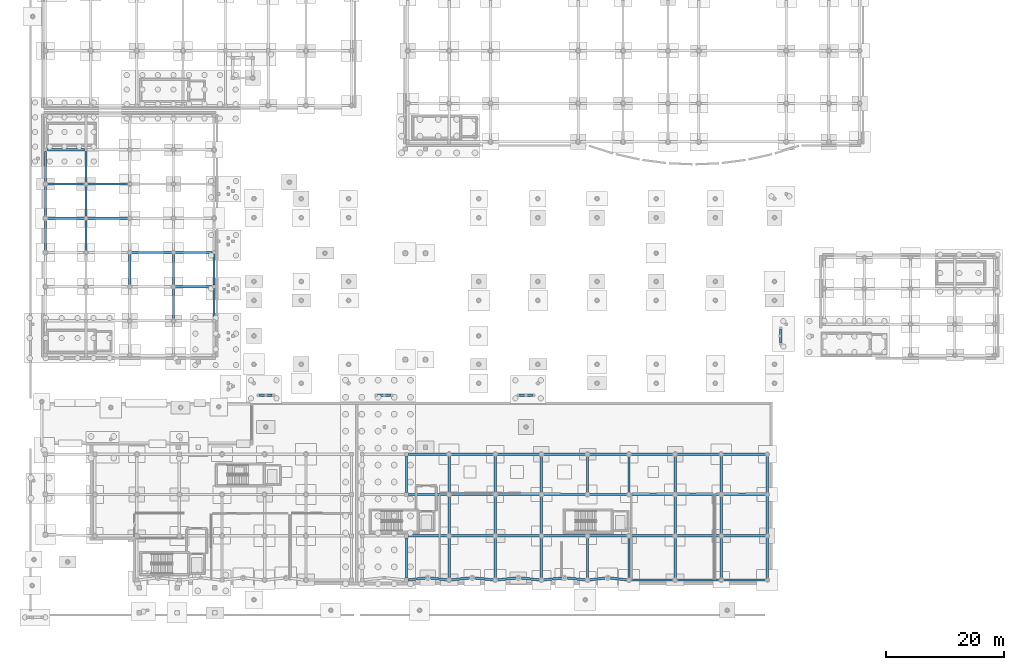
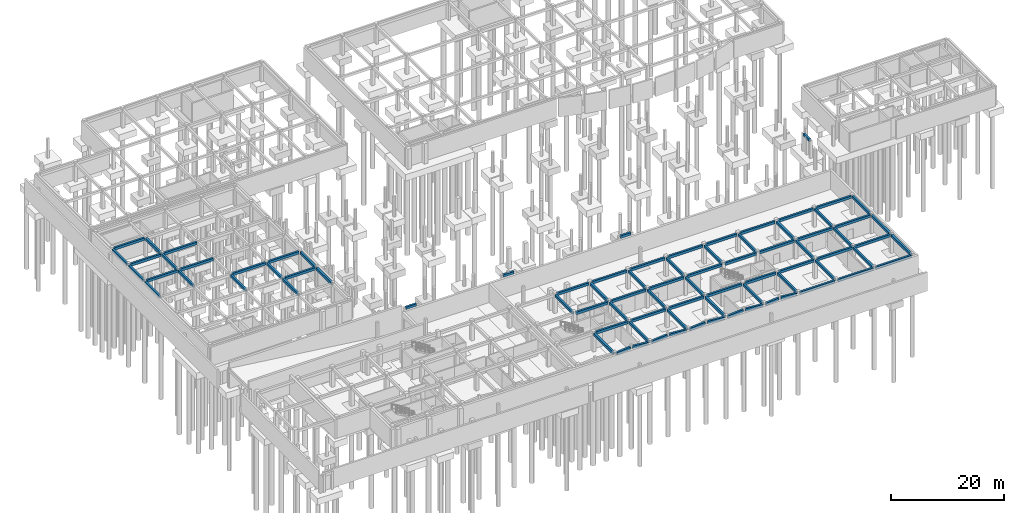
# One storey, part 11 of 22: 84 beams.
"""IFC4 building model written with IfcOpenShell, lengths in metres."""

from ifc_helpers import new_model, si_unit, direction, frame, origin, origin_2d, place, context, subcontext, project, spatial, rectangle, extrude, material, material_profile, profile_set, type_object, element, save


model = new_model("IFC4")

# Units and contexts
model_context = context("Model", 3, precision=1e-05, world=origin(), true_north=direction((0.0, 1.0)))
body_context = subcontext(model_context, "Body", "Model", "MODEL_VIEW")
ifc_project = project(units=[si_unit("LENGTHUNIT", "METRE"), si_unit("AREAUNIT", "SQUARE_METRE"), si_unit("VOLUMEUNIT", "CUBIC_METRE"), si_unit("PLANEANGLEUNIT", "RADIAN"), si_unit("MASSUNIT", "GRAM", prefix="KILO")], contexts=[model_context])

# Site, building, storey
site_placement = place(None, origin())
site = spatial("IfcSite", under=ifc_project, at=site_placement, CompositionType="ELEMENT")
building_placement = place(site_placement, origin())
building = spatial("IfcBuilding", under=site, at=building_placement, Name="Valcora Specialist Clinic", CompositionType="ELEMENT")
storey_placement = place(building_placement, frame((0.0, 0.0, -4.419921875)))
storey = spatial("IfcBuildingStorey", under=building, at=storey_placement, Name="B1", CompositionType="ELEMENT", Elevation=-4.419921875)

# Beams
ifc_material = material(Name="Concrete C35/45", Category="concrete")
ifc_material_profile = material_profile(ifc_material, rectangle(XDim=0.39990234375, YDim=0.550048828125, at=origin_2d()), Name="RC-TB-400X550")
ifc_profile_set = profile_set([ifc_material_profile], Name="Concrete C35/45")
beam_type = type_object("IfcBeamType", Name="TY-BM-TB400X550", PredefinedType="BEAM", material=ifc_profile_set)
beam_1_placement = place(storey_placement, frame((22.675048828125, 50.321044921875, 3.844970703125), z_axis=(1.0, 0.0, 0.0), x_axis=(0.0, 1.0, 0.0)))
element("IfcBeam", 1, at=beam_1_placement, inside=storey, type_object=beam_type, Name="Beam BM-B1-0012", PredefinedType="BEAM", context=body_context, shape_type="SweptSolid", body=[
    extrude(rectangle(XDim=0.39990234375, YDim=0.550048828125, at=origin_2d()), origin(), (0.0, 0.0, 1.0), 6.27490234375),
])
beam_2_placement = place(storey_placement, frame((15.27490234375, 56.10693359375, 3.844970703125), z_axis=(1.0, 0.0, 0.0), x_axis=(0.0, 1.0, 0.0)))
element("IfcBeam", 2, at=beam_2_placement, inside=storey, type_object=beam_type, Name="Beam BM-B1-0015", PredefinedType="BEAM", context=body_context, shape_type="SweptSolid", body=[
    extrude(rectangle(XDim=0.39990234375, YDim=0.550048828125, at=origin_2d()), origin(), (0.0, 0.0, 1.0), 6.85009765625),
])
beam_3_placement = place(storey_placement, frame((22.675048828125, 56.10693359375, 3.844970703125), z_axis=(1.0, 0.0, 0.0), x_axis=(0.0, 1.0, 0.0)))
element("IfcBeam", 3, at=beam_3_placement, inside=storey, type_object=beam_type, Name="Beam BM-B1-0016", PredefinedType="BEAM", context=body_context, shape_type="SweptSolid", body=[
    extrude(rectangle(XDim=0.39990234375, YDim=0.550048828125, at=origin_2d()), origin(), (0.0, 0.0, 1.0), 6.27490234375),
])
beam_4_placement = place(storey_placement, frame((1.074951171875, 61.89306640625, 3.844970703125), z_axis=(1.0, 0.0, 0.0), x_axis=(0.0, 1.0, 0.0)))
element("IfcBeam", 4, at=beam_4_placement, inside=storey, type_object=beam_type, Name="Beam BM-B1-0017", PredefinedType="BEAM", context=body_context, shape_type="SweptSolid", body=[
    extrude(rectangle(XDim=0.39990234375, YDim=0.550048828125, at=origin_2d()), origin(), (0.0, 0.0, 1.0), 6.25),
])
beam_5_placement = place(storey_placement, frame((7.875, 61.89306640625, 3.844970703125), z_axis=(1.0, 0.0, 0.0), x_axis=(0.0, 1.0, 0.0)))
element("IfcBeam", 5, at=beam_5_placement, inside=storey, type_object=beam_type, Name="Beam BM-B1-0018", PredefinedType="BEAM", context=body_context, shape_type="SweptSolid", body=[
    extrude(rectangle(XDim=0.39990234375, YDim=0.550048828125, at=origin_2d()), origin(), (0.0, 0.0, 1.0), 6.85009765625),
])
beam_6_placement = place(storey_placement, frame((1.074951171875, 67.678955078125, 3.844970703125), z_axis=(1.0, 0.0, 0.0), x_axis=(0.0, 1.0, 0.0)))
element("IfcBeam", 6, at=beam_6_placement, inside=storey, type_object=beam_type, Name="Beam BM-B1-0021", PredefinedType="BEAM", context=body_context, shape_type="SweptSolid", body=[
    extrude(rectangle(XDim=0.39990234375, YDim=0.550048828125, at=origin_2d()), origin(), (0.0, 0.0, 1.0), 6.25),
])
beam_7_placement = place(storey_placement, frame((7.875, 67.678955078125, 3.844970703125), z_axis=(1.0, 0.0, 0.0), x_axis=(0.0, 1.0, 0.0)))
element("IfcBeam", 7, at=beam_7_placement, inside=storey, type_object=beam_type, Name="Beam BM-B1-0022", PredefinedType="BEAM", context=body_context, shape_type="SweptSolid", body=[
    extrude(rectangle(XDim=0.39990234375, YDim=0.550048828125, at=origin_2d()), origin(), (0.0, 0.0, 1.0), 6.85009765625),
])
beam_8_placement = place(storey_placement, frame((1.074951171875, 73.464111328125, 3.844970703125), z_axis=(1.0, 0.0, 0.0), x_axis=(0.0, 1.0, 0.0)))
element("IfcBeam", 8, at=beam_8_placement, inside=storey, type_object=beam_type, Name="Beam BM-B1-0025", PredefinedType="BEAM", context=body_context, shape_type="SweptSolid", body=[
    extrude(rectangle(XDim=0.39990234375, YDim=0.550048828125, at=origin_2d()), origin(), (0.0, 0.0, 1.0), 6.25),
])
beam_9_placement = place(storey_placement, frame((0.75, 56.431884765625, 3.844970703125), z_axis=(0.0, 1.0, 0.0), x_axis=(-1.0, 0.0, 0.0)))
element("IfcBeam", 9, at=beam_9_placement, inside=storey, type_object=beam_type, Name="Beam BM-B1-0036", PredefinedType="BEAM", context=body_context, shape_type="SweptSolid", body=[
    extrude(rectangle(XDim=0.39990234375, YDim=0.550048828125, at=origin_2d()), origin(), (0.0, 0.0, 1.0), 5.13623046875),
])
beam_10_placement = place(storey_placement, frame((0.75, 62.218017578125, 3.844970703125), z_axis=(0.0, 1.0, 0.0), x_axis=(-1.0, 0.0, 0.0)))
element("IfcBeam", 10, at=beam_10_placement, inside=storey, type_object=beam_type, Name="Beam BM-B1-0037", PredefinedType="BEAM", context=body_context, shape_type="SweptSolid", body=[
    extrude(rectangle(XDim=0.39990234375, YDim=0.550048828125, at=origin_2d()), origin(), (0.0, 0.0, 1.0), 5.135986328125),
])
beam_11_placement = place(storey_placement, frame((0.75, 68.00390625, 3.844970703125), z_axis=(0.0, 1.0, 0.0), x_axis=(-1.0, 0.0, 0.0)))
element("IfcBeam", 11, at=beam_11_placement, inside=storey, type_object=beam_type, Name="Beam BM-B1-0038", PredefinedType="BEAM", context=body_context, shape_type="SweptSolid", body=[
    extrude(rectangle(XDim=0.39990234375, YDim=0.550048828125, at=origin_2d()), origin(), (0.0, 0.0, 1.0), 5.135009765625),
])
beam_12_placement = place(storey_placement, frame((7.60009765625, 56.382080078125, 3.844970703125), z_axis=(0.0, 1.0, 0.0), x_axis=(-1.0, 0.0, 0.0)))
element("IfcBeam", 12, at=beam_12_placement, inside=storey, type_object=beam_type, Name="Beam BM-B1-0043", PredefinedType="BEAM", context=body_context, shape_type="SweptSolid", body=[
    extrude(rectangle(XDim=0.39990234375, YDim=0.550048828125, at=origin_2d()), origin(), (0.0, 0.0, 1.0), 5.23583984375),
])
beam_13_placement = place(storey_placement, frame((7.60009765625, 62.16796875, 3.844970703125), z_axis=(0.0, 1.0, 0.0), x_axis=(-1.0, 0.0, 0.0)))
element("IfcBeam", 13, at=beam_13_placement, inside=storey, type_object=beam_type, Name="Beam BM-B1-0044", PredefinedType="BEAM", context=body_context, shape_type="SweptSolid", body=[
    extrude(rectangle(XDim=0.39990234375, YDim=0.550048828125, at=origin_2d()), origin(), (0.0, 0.0, 1.0), 5.236083984375),
])
beam_14_placement = place(storey_placement, frame((7.60009765625, 67.9541015625, 3.844970703125), z_axis=(0.0, 1.0, 0.0), x_axis=(-1.0, 0.0, 0.0)))
element("IfcBeam", 14, at=beam_14_placement, inside=storey, type_object=beam_type, Name="Beam BM-B1-0045", PredefinedType="BEAM", context=body_context, shape_type="SweptSolid", body=[
    extrude(rectangle(XDim=0.39990234375, YDim=0.550048828125, at=origin_2d()), origin(), (0.0, 0.0, 1.0), 5.23486328125),
])
beam_15_placement = place(storey_placement, frame((15.0, 50.595947265625, 3.844970703125), z_axis=(0.0, 1.0, 0.0), x_axis=(-1.0, 0.0, 0.0)))
element("IfcBeam", 15, at=beam_15_placement, inside=storey, type_object=beam_type, Name="Beam BM-B1-0049", PredefinedType="BEAM", context=body_context, shape_type="SweptSolid", body=[
    extrude(rectangle(XDim=0.39990234375, YDim=0.550048828125, at=origin_2d()), origin(), (0.0, 0.0, 1.0), 5.236083984375),
])
beam_16_placement = place(storey_placement, frame((22.39990234375, 44.81103515625, 3.844970703125), z_axis=(0.0, 1.0, 0.0), x_axis=(-1.0, 0.0, 0.0)))
element("IfcBeam", 16, at=beam_16_placement, inside=storey, type_object=beam_type, Name="Beam BM-B1-0055", PredefinedType="BEAM", context=body_context, shape_type="SweptSolid", body=[
    extrude(rectangle(XDim=0.39990234375, YDim=0.550048828125, at=origin_2d()), origin(), (0.0, 0.0, 1.0), 5.23486328125),
])
beam_17_placement = place(storey_placement, frame((22.39990234375, 50.595947265625, 3.844970703125), z_axis=(0.0, 1.0, 0.0), x_axis=(-1.0, 0.0, 0.0)))
element("IfcBeam", 17, at=beam_17_placement, inside=storey, type_object=beam_type, Name="Beam BM-B1-0056", PredefinedType="BEAM", context=body_context, shape_type="SweptSolid", body=[
    extrude(rectangle(XDim=0.39990234375, YDim=0.550048828125, at=origin_2d()), origin(), (0.0, 0.0, 1.0), 5.236083984375),
])
beam_18_placement = place(storey_placement, frame((29.25, 44.8359375, 3.844970703125), z_axis=(0.0, 1.0, 0.0), x_axis=(-1.0, 0.0, 0.0)))
element("IfcBeam", 18, at=beam_18_placement, inside=storey, type_object=beam_type, Name="Beam BM-B1-0062", PredefinedType="BEAM", context=body_context, shape_type="SweptSolid", body=[
    extrude(rectangle(XDim=0.39990234375, YDim=0.550048828125, at=origin_2d()), origin(), (0.0, 0.0, 1.0), 5.18505859375),
])
beam_19_placement = place(storey_placement, frame((29.25, 50.62109375, 3.844970703125), z_axis=(0.0, 1.0, 0.0), x_axis=(-1.0, 0.0, 0.0)))
element("IfcBeam", 19, at=beam_19_placement, inside=storey, type_object=beam_type, Name="Beam BM-B1-0063", PredefinedType="BEAM", context=body_context, shape_type="SweptSolid", body=[
    extrude(rectangle(XDim=0.39990234375, YDim=0.550048828125, at=origin_2d()), origin(), (0.0, 0.0, 1.0), 5.185791015625),
])
for number, where, z_axis, x_axis, name in (
    (20, (62.125, 0.75, 3.81494140625), (0.993580893822, 0.113123858812, 0.0), (-0.113123858812, 0.993580893822, 0.0), "Beam BM-B1-1151"),
    (21, (65.60009765625, 1.10009765625, 3.81494140625), (0.993580893822, -0.113123858812, 0.0), (0.113123858812, 0.993580893822, 0.0), "Beam BM-B1-1152"),
):
    element("IfcBeam", number, at=place(storey_placement, frame(where, z_axis=z_axis, x_axis=x_axis)), inside=storey, type_object=beam_type, Name=name, PredefinedType="BEAM", context=body_context, shape_type="SweptSolid", body=[
        extrude(rectangle(XDim=0.39990234375, YDim=0.550048828125, at=origin_2d()), origin(), (0.0, 0.0, 1.0), 3.0947265625),
    ])
for number, where, z_axis, x_axis, name in (
    (22, (69.324951171875, 0.75, 3.81494140625), (0.994662804408, 0.103178997506, 0.0), (-0.103178997506, 0.994662804408, 0.0), "Beam BM-B1-1153"),
    (23, (73.10009765625, 1.10009765625, 3.81494140625), (0.994662804408, -0.103178997506, 0.0), (0.103178997506, 0.994662804408, 0.0), "Beam BM-B1-1154"),
    (24, (77.125, 0.75, 3.81494140625), (0.994662804408, 0.103178997506, 0.0), (-0.103178997506, 0.994662804408, 0.0), "Beam BM-B1-1155"),
    (25, (80.89990234375, 1.10009765625, 3.81494140625), (0.994662804408, -0.103178997506, 0.0), (0.103178997506, 0.994662804408, 0.0), "Beam BM-B1-1156"),
    (26, (84.925048828125, 0.75, 3.81494140625), (0.994662804408, 0.103178997506, 0.0), (-0.103178997506, 0.994662804408, 0.0), "Beam BM-B1-1157"),
    (27, (88.699951171875, 1.10009765625, 3.81494140625), (0.994662804408, -0.103178997506, 0.0), (0.103178997506, 0.994662804408, 0.0), "Beam BM-B1-1158"),
):
    element("IfcBeam", number, at=place(storey_placement, frame(where, z_axis=z_axis, x_axis=x_axis)), inside=storey, type_object=beam_type, Name=name, PredefinedType="BEAM", context=body_context, shape_type="SweptSolid", body=[
        extrude(rectangle(XDim=0.39990234375, YDim=0.550048828125, at=origin_2d()), origin(), (0.0, 0.0, 1.0), 3.39306640625),
    ])
beam_20_placement = place(storey_placement, frame((92.72509765625, 0.75, 3.81494140625), z_axis=(0.992667109146, 0.120880148991, 0.0), x_axis=(-0.120880148991, 0.992667109146, 0.0)))
element("IfcBeam", 28, at=beam_20_placement, inside=storey, type_object=beam_type, Name="Beam BM-B1-1159", PredefinedType="BEAM", context=body_context, shape_type="SweptSolid", body=[
    extrude(rectangle(XDim=0.39990234375, YDim=0.550048828125, at=origin_2d()), origin(), (0.0, 0.0, 1.0), 2.896240234375),
])
beam_21_placement = place(storey_placement, frame((96.0, 1.10009765625, 3.81494140625), z_axis=(0.993580893822, -0.113123858812, 0.0), x_axis=(0.113123858812, 0.993580893822, 0.0)))
element("IfcBeam", 29, at=beam_21_placement, inside=storey, type_object=beam_type, Name="Beam BM-B1-1160", PredefinedType="BEAM", context=body_context, shape_type="SweptSolid", body=[
    extrude(rectangle(XDim=0.39990234375, YDim=0.550048828125, at=origin_2d()), origin(), (0.0, 0.0, 1.0), 3.0947265625),
])
beam_22_placement = place(storey_placement, frame((99.72509765625, 0.75, 3.81494140625), z_axis=(1.0, 0.0, 0.0), x_axis=(0.0, 1.0, 0.0)))
element("IfcBeam", 30, at=beam_22_placement, inside=storey, type_object=beam_type, Name="Beam BM-B1-1161", PredefinedType="BEAM", context=body_context, shape_type="SweptSolid", body=[
    extrude(rectangle(XDim=0.39990234375, YDim=0.550048828125, at=origin_2d()), origin(), (0.0, 0.0, 1.0), 7.14990234375),
])
beam_23_placement = place(storey_placement, frame((107.52490234375, 0.75, 3.81494140625), z_axis=(1.0, 0.0, 0.0), x_axis=(0.0, 1.0, 0.0)))
element("IfcBeam", 31, at=beam_23_placement, inside=storey, type_object=beam_type, Name="Beam BM-B1-1162", PredefinedType="BEAM", context=body_context, shape_type="SweptSolid", body=[
    extrude(rectangle(XDim=0.39990234375, YDim=0.550048828125, at=origin_2d()), origin(), (0.0, 0.0, 1.0), 7.2001953125),
])
beam_24_placement = place(storey_placement, frame((115.27490234375, 0.75, 3.81494140625), z_axis=(1.0, 0.0, 0.0), x_axis=(0.0, 1.0, 0.0)))
element("IfcBeam", 32, at=beam_24_placement, inside=storey, type_object=beam_type, Name="Beam BM-B1-1163", PredefinedType="BEAM", context=body_context, shape_type="SweptSolid", body=[
    extrude(rectangle(XDim=0.39990234375, YDim=0.550048828125, at=origin_2d()), origin(), (0.0, 0.0, 1.0), 7.25),
])
beam_25_placement = place(storey_placement, frame((62.125, 8.199951171875, 3.81494140625), z_axis=(1.0, 0.0, 0.0), x_axis=(0.0, 1.0, 0.0)))
element("IfcBeam", 33, at=beam_25_placement, inside=storey, type_object=beam_type, Name="Beam BM-B1-1165", PredefinedType="BEAM", context=body_context, shape_type="SweptSolid", body=[
    extrude(rectangle(XDim=0.39990234375, YDim=0.550048828125, at=origin_2d()), origin(), (0.0, 0.0, 1.0), 6.550048828125),
])
beam_26_placement = place(storey_placement, frame((69.324951171875, 8.199951171875, 3.81494140625), z_axis=(1.0, 0.0, 0.0), x_axis=(0.0, 1.0, 0.0)))
element("IfcBeam", 34, at=beam_26_placement, inside=storey, type_object=beam_type, Name="Beam BM-B1-1166", PredefinedType="BEAM", context=body_context, shape_type="SweptSolid", body=[
    extrude(rectangle(XDim=0.39990234375, YDim=0.550048828125, at=origin_2d()), origin(), (0.0, 0.0, 1.0), 7.150146484375),
])
for number, where, z_axis, x_axis, name in (
    (35, (77.125, 8.199951171875, 3.81494140625), (1.0, 0.0, 0.0), (0.0, 1.0, 0.0), "Beam BM-B1-1167"),
    (36, (84.925048828125, 8.199951171875, 3.81494140625), (1.0, 0.0, 0.0), (0.0, 1.0, 0.0), "Beam BM-B1-1168"),
):
    element("IfcBeam", number, at=place(storey_placement, frame(where, z_axis=z_axis, x_axis=x_axis)), inside=storey, type_object=beam_type, Name=name, PredefinedType="BEAM", context=body_context, shape_type="SweptSolid", body=[
        extrude(rectangle(XDim=0.39990234375, YDim=0.550048828125, at=origin_2d()), origin(), (0.0, 0.0, 1.0), 7.14990234375),
    ])
beam_27_placement = place(storey_placement, frame((92.72509765625, 8.199951171875, 3.81494140625), z_axis=(1.0, 0.0, 0.0), x_axis=(0.0, 1.0, 0.0)))
element("IfcBeam", 37, at=beam_27_placement, inside=storey, type_object=beam_type, Name="Beam BM-B1-1169", PredefinedType="BEAM", context=body_context, shape_type="SweptSolid", body=[
    extrude(rectangle(XDim=0.39990234375, YDim=0.550048828125, at=origin_2d()), origin(), (0.0, 0.0, 1.0), 6.349853515625),
])
beam_28_placement = place(storey_placement, frame((99.72509765625, 8.199951171875, 3.81494140625), z_axis=(1.0, 0.0, 0.0), x_axis=(0.0, 1.0, 0.0)))
element("IfcBeam", 38, at=beam_28_placement, inside=storey, type_object=beam_type, Name="Beam BM-B1-1170", PredefinedType="BEAM", context=body_context, shape_type="SweptSolid", body=[
    extrude(rectangle(XDim=0.39990234375, YDim=0.550048828125, at=origin_2d()), origin(), (0.0, 0.0, 1.0), 7.14990234375),
])
beam_29_placement = place(storey_placement, frame((107.52490234375, 8.199951171875, 3.81494140625), z_axis=(1.0, 0.0, 0.0), x_axis=(0.0, 1.0, 0.0)))
element("IfcBeam", 39, at=beam_29_placement, inside=storey, type_object=beam_type, Name="Beam BM-B1-1171", PredefinedType="BEAM", context=body_context, shape_type="SweptSolid", body=[
    extrude(rectangle(XDim=0.39990234375, YDim=0.550048828125, at=origin_2d()), origin(), (0.0, 0.0, 1.0), 7.2001953125),
])
beam_30_placement = place(storey_placement, frame((115.27490234375, 8.199951171875, 3.81494140625), z_axis=(1.0, 0.0, 0.0), x_axis=(0.0, 1.0, 0.0)))
element("IfcBeam", 40, at=beam_30_placement, inside=storey, type_object=beam_type, Name="Beam BM-B1-1172", PredefinedType="BEAM", context=body_context, shape_type="SweptSolid", body=[
    extrude(rectangle(XDim=0.39990234375, YDim=0.550048828125, at=origin_2d()), origin(), (0.0, 0.0, 1.0), 7.25),
])
beam_31_placement = place(storey_placement, frame((62.125, 15.199951171875, 3.81494140625), z_axis=(1.0, 0.0, 0.0), x_axis=(0.0, 1.0, 0.0)))
element("IfcBeam", 41, at=beam_31_placement, inside=storey, type_object=beam_type, Name="Beam BM-B1-1174", PredefinedType="BEAM", context=body_context, shape_type="SweptSolid", body=[
    extrude(rectangle(XDim=0.39990234375, YDim=0.550048828125, at=origin_2d()), origin(), (0.0, 0.0, 1.0), 6.550048828125),
])
beam_32_placement = place(storey_placement, frame((69.324951171875, 15.199951171875, 3.81494140625), z_axis=(1.0, 0.0, 0.0), x_axis=(0.0, 1.0, 0.0)))
element("IfcBeam", 42, at=beam_32_placement, inside=storey, type_object=beam_type, Name="Beam BM-B1-1175", PredefinedType="BEAM", context=body_context, shape_type="SweptSolid", body=[
    extrude(rectangle(XDim=0.39990234375, YDim=0.550048828125, at=origin_2d()), origin(), (0.0, 0.0, 1.0), 7.150146484375),
])
for number, where, z_axis, x_axis, name in (
    (43, (77.125, 15.199951171875, 3.81494140625), (1.0, 0.0, 0.0), (0.0, 1.0, 0.0), "Beam BM-B1-1176"),
    (44, (84.925048828125, 15.199951171875, 3.81494140625), (1.0, 0.0, 0.0), (0.0, 1.0, 0.0), "Beam BM-B1-1177"),
):
    element("IfcBeam", number, at=place(storey_placement, frame(where, z_axis=z_axis, x_axis=x_axis)), inside=storey, type_object=beam_type, Name=name, PredefinedType="BEAM", context=body_context, shape_type="SweptSolid", body=[
        extrude(rectangle(XDim=0.39990234375, YDim=0.550048828125, at=origin_2d()), origin(), (0.0, 0.0, 1.0), 7.14990234375),
    ])
beam_33_placement = place(storey_placement, frame((92.72509765625, 15.199951171875, 3.81494140625), z_axis=(1.0, 0.0, 0.0), x_axis=(0.0, 1.0, 0.0)))
element("IfcBeam", 45, at=beam_33_placement, inside=storey, type_object=beam_type, Name="Beam BM-B1-1178", PredefinedType="BEAM", context=body_context, shape_type="SweptSolid", body=[
    extrude(rectangle(XDim=0.39990234375, YDim=0.550048828125, at=origin_2d()), origin(), (0.0, 0.0, 1.0), 6.349853515625),
])
beam_34_placement = place(storey_placement, frame((99.72509765625, 15.199951171875, 3.81494140625), z_axis=(1.0, 0.0, 0.0), x_axis=(0.0, 1.0, 0.0)))
element("IfcBeam", 46, at=beam_34_placement, inside=storey, type_object=beam_type, Name="Beam BM-B1-1179", PredefinedType="BEAM", context=body_context, shape_type="SweptSolid", body=[
    extrude(rectangle(XDim=0.39990234375, YDim=0.550048828125, at=origin_2d()), origin(), (0.0, 0.0, 1.0), 7.14990234375),
])
beam_35_placement = place(storey_placement, frame((107.52490234375, 15.199951171875, 3.81494140625), z_axis=(1.0, 0.0, 0.0), x_axis=(0.0, 1.0, 0.0)))
element("IfcBeam", 47, at=beam_35_placement, inside=storey, type_object=beam_type, Name="Beam BM-B1-1180", PredefinedType="BEAM", context=body_context, shape_type="SweptSolid", body=[
    extrude(rectangle(XDim=0.39990234375, YDim=0.550048828125, at=origin_2d()), origin(), (0.0, 0.0, 1.0), 7.2001953125),
])
beam_36_placement = place(storey_placement, frame((115.27490234375, 15.199951171875, 3.81494140625), z_axis=(1.0, 0.0, 0.0), x_axis=(0.0, 1.0, 0.0)))
element("IfcBeam", 48, at=beam_36_placement, inside=storey, type_object=beam_type, Name="Beam BM-B1-1181", PredefinedType="BEAM", context=body_context, shape_type="SweptSolid", body=[
    extrude(rectangle(XDim=0.39990234375, YDim=0.550048828125, at=origin_2d()), origin(), (0.0, 0.0, 1.0), 7.25),
])
beam_37_placement = place(storey_placement, frame((62.125, 22.0, 3.81494140625), z_axis=(1.0, 0.0, 0.0), x_axis=(0.0, 1.0, 0.0)))
element("IfcBeam", 49, at=beam_37_placement, inside=storey, type_object=beam_type, Name="Beam BM-B1-1183", PredefinedType="BEAM", context=body_context, shape_type="SweptSolid", body=[
    extrude(rectangle(XDim=0.39990234375, YDim=0.550048828125, at=origin_2d()), origin(), (0.0, 0.0, 1.0), 6.550048828125),
])
beam_38_placement = place(storey_placement, frame((69.324951171875, 22.0, 3.81494140625), z_axis=(1.0, 0.0, 0.0), x_axis=(0.0, 1.0, 0.0)))
element("IfcBeam", 50, at=beam_38_placement, inside=storey, type_object=beam_type, Name="Beam BM-B1-1184", PredefinedType="BEAM", context=body_context, shape_type="SweptSolid", body=[
    extrude(rectangle(XDim=0.39990234375, YDim=0.550048828125, at=origin_2d()), origin(), (0.0, 0.0, 1.0), 7.150146484375),
])
for number, where, z_axis, x_axis, name in (
    (51, (77.125, 22.0, 3.81494140625), (1.0, 0.0, 0.0), (0.0, 1.0, 0.0), "Beam BM-B1-1185"),
    (52, (84.925048828125, 22.0, 3.81494140625), (1.0, 0.0, 0.0), (0.0, 1.0, 0.0), "Beam BM-B1-1186"),
):
    element("IfcBeam", number, at=place(storey_placement, frame(where, z_axis=z_axis, x_axis=x_axis)), inside=storey, type_object=beam_type, Name=name, PredefinedType="BEAM", context=body_context, shape_type="SweptSolid", body=[
        extrude(rectangle(XDim=0.39990234375, YDim=0.550048828125, at=origin_2d()), origin(), (0.0, 0.0, 1.0), 7.14990234375),
    ])
beam_39_placement = place(storey_placement, frame((92.72509765625, 22.0, 3.81494140625), z_axis=(1.0, 0.0, 0.0), x_axis=(0.0, 1.0, 0.0)))
element("IfcBeam", 53, at=beam_39_placement, inside=storey, type_object=beam_type, Name="Beam BM-B1-1187", PredefinedType="BEAM", context=body_context, shape_type="SweptSolid", body=[
    extrude(rectangle(XDim=0.39990234375, YDim=0.550048828125, at=origin_2d()), origin(), (0.0, 0.0, 1.0), 6.349853515625),
])
beam_40_placement = place(storey_placement, frame((99.72509765625, 22.0, 3.81494140625), z_axis=(1.0, 0.0, 0.0), x_axis=(0.0, 1.0, 0.0)))
element("IfcBeam", 54, at=beam_40_placement, inside=storey, type_object=beam_type, Name="Beam BM-B1-1188", PredefinedType="BEAM", context=body_context, shape_type="SweptSolid", body=[
    extrude(rectangle(XDim=0.39990234375, YDim=0.550048828125, at=origin_2d()), origin(), (0.0, 0.0, 1.0), 7.14990234375),
])
beam_41_placement = place(storey_placement, frame((107.52490234375, 22.0, 3.81494140625), z_axis=(1.0, 0.0, 0.0), x_axis=(0.0, 1.0, 0.0)))
element("IfcBeam", 55, at=beam_41_placement, inside=storey, type_object=beam_type, Name="Beam BM-B1-1189", PredefinedType="BEAM", context=body_context, shape_type="SweptSolid", body=[
    extrude(rectangle(XDim=0.39990234375, YDim=0.550048828125, at=origin_2d()), origin(), (0.0, 0.0, 1.0), 7.2001953125),
])
beam_42_placement = place(storey_placement, frame((115.27490234375, 22.0, 3.81494140625), z_axis=(1.0, 0.0, 0.0), x_axis=(0.0, 1.0, 0.0)))
element("IfcBeam", 56, at=beam_42_placement, inside=storey, type_object=beam_type, Name="Beam BM-B1-1190", PredefinedType="BEAM", context=body_context, shape_type="SweptSolid", body=[
    extrude(rectangle(XDim=0.39990234375, YDim=0.550048828125, at=origin_2d()), origin(), (0.0, 0.0, 1.0), 7.25),
])
beam_43_placement = place(storey_placement, frame((61.800048828125, 1.074951171875, 3.81494140625), z_axis=(0.0, 1.0, 0.0), x_axis=(-1.0, 0.0, 0.0)))
element("IfcBeam", 57, at=beam_43_placement, inside=storey, type_object=beam_type, Name="Beam BM-B1-1194", PredefinedType="BEAM", context=body_context, shape_type="SweptSolid", body=[
    extrude(rectangle(XDim=0.39990234375, YDim=0.550048828125, at=origin_2d()), origin(), (0.0, 0.0, 1.0), 6.800048828125),
])
beam_44_placement = place(storey_placement, frame((61.800048828125, 15.52490234375, 3.81494140625), z_axis=(0.0, 1.0, 0.0), x_axis=(-1.0, 0.0, 0.0)))
element("IfcBeam", 58, at=beam_44_placement, inside=storey, type_object=beam_type, Name="Beam BM-B1-1195", PredefinedType="BEAM", context=body_context, shape_type="SweptSolid", body=[
    extrude(rectangle(XDim=0.39990234375, YDim=0.550048828125, at=origin_2d()), origin(), (0.0, 0.0, 1.0), 6.150146484375),
])
beam_45_placement = place(storey_placement, frame((69.0, 1.074951171875, 3.81494140625), z_axis=(0.0, 1.0, 0.0), x_axis=(-1.0, 0.0, 0.0)))
element("IfcBeam", 59, at=beam_45_placement, inside=storey, type_object=beam_type, Name="Beam BM-B1-1196", PredefinedType="BEAM", context=body_context, shape_type="SweptSolid", body=[
    extrude(rectangle(XDim=0.39990234375, YDim=0.550048828125, at=origin_2d()), origin(), (0.0, 0.0, 1.0), 6.800048828125),
])
beam_46_placement = place(storey_placement, frame((69.0, 8.52490234375, 3.81494140625), z_axis=(0.0, 1.0, 0.0), x_axis=(-1.0, 0.0, 0.0)))
element("IfcBeam", 60, at=beam_46_placement, inside=storey, type_object=beam_type, Name="Beam BM-B1-1197", PredefinedType="BEAM", context=body_context, shape_type="SweptSolid", body=[
    extrude(rectangle(XDim=0.39990234375, YDim=0.550048828125, at=origin_2d()), origin(), (0.0, 0.0, 1.0), 6.35009765625),
])
beam_47_placement = place(storey_placement, frame((69.0, 15.52490234375, 3.81494140625), z_axis=(0.0, 1.0, 0.0), x_axis=(-1.0, 0.0, 0.0)))
element("IfcBeam", 61, at=beam_47_placement, inside=storey, type_object=beam_type, Name="Beam BM-B1-1198", PredefinedType="BEAM", context=body_context, shape_type="SweptSolid", body=[
    extrude(rectangle(XDim=0.39990234375, YDim=0.550048828125, at=origin_2d()), origin(), (0.0, 0.0, 1.0), 6.150146484375),
])
beam_48_placement = place(storey_placement, frame((76.800048828125, 1.074951171875, 3.81494140625), z_axis=(0.0, 1.0, 0.0), x_axis=(-1.0, 0.0, 0.0)))
element("IfcBeam", 62, at=beam_48_placement, inside=storey, type_object=beam_type, Name="Beam BM-B1-1199", PredefinedType="BEAM", context=body_context, shape_type="SweptSolid", body=[
    extrude(rectangle(XDim=0.39990234375, YDim=0.550048828125, at=origin_2d()), origin(), (0.0, 0.0, 1.0), 6.800048828125),
])
beam_49_placement = place(storey_placement, frame((76.800048828125, 8.52490234375, 3.81494140625), z_axis=(0.0, 1.0, 0.0), x_axis=(-1.0, 0.0, 0.0)))
element("IfcBeam", 63, at=beam_49_placement, inside=storey, type_object=beam_type, Name="Beam BM-B1-1200", PredefinedType="BEAM", context=body_context, shape_type="SweptSolid", body=[
    extrude(rectangle(XDim=0.39990234375, YDim=0.550048828125, at=origin_2d()), origin(), (0.0, 0.0, 1.0), 6.35009765625),
])
beam_50_placement = place(storey_placement, frame((76.800048828125, 15.52490234375, 3.81494140625), z_axis=(0.0, 1.0, 0.0), x_axis=(-1.0, 0.0, 0.0)))
element("IfcBeam", 64, at=beam_50_placement, inside=storey, type_object=beam_type, Name="Beam BM-B1-1201", PredefinedType="BEAM", context=body_context, shape_type="SweptSolid", body=[
    extrude(rectangle(XDim=0.39990234375, YDim=0.550048828125, at=origin_2d()), origin(), (0.0, 0.0, 1.0), 6.150146484375),
])
beam_51_placement = place(storey_placement, frame((84.60009765625, 1.074951171875, 3.81494140625), z_axis=(0.0, 1.0, 0.0), x_axis=(-1.0, 0.0, 0.0)))
element("IfcBeam", 65, at=beam_51_placement, inside=storey, type_object=beam_type, Name="Beam BM-B1-1202", PredefinedType="BEAM", context=body_context, shape_type="SweptSolid", body=[
    extrude(rectangle(XDim=0.39990234375, YDim=0.550048828125, at=origin_2d()), origin(), (0.0, 0.0, 1.0), 6.800048828125),
])
beam_52_placement = place(storey_placement, frame((84.60009765625, 8.52490234375, 3.81494140625), z_axis=(0.0, 1.0, 0.0), x_axis=(-1.0, 0.0, 0.0)))
element("IfcBeam", 66, at=beam_52_placement, inside=storey, type_object=beam_type, Name="Beam BM-B1-1203", PredefinedType="BEAM", context=body_context, shape_type="SweptSolid", body=[
    extrude(rectangle(XDim=0.39990234375, YDim=0.550048828125, at=origin_2d()), origin(), (0.0, 0.0, 1.0), 6.35009765625),
])
beam_53_placement = place(storey_placement, frame((84.60009765625, 15.52490234375, 3.81494140625), z_axis=(0.0, 1.0, 0.0), x_axis=(-1.0, 0.0, 0.0)))
element("IfcBeam", 67, at=beam_53_placement, inside=storey, type_object=beam_type, Name="Beam BM-B1-1204", PredefinedType="BEAM", context=body_context, shape_type="SweptSolid", body=[
    extrude(rectangle(XDim=0.39990234375, YDim=0.550048828125, at=origin_2d()), origin(), (0.0, 0.0, 1.0), 6.150146484375),
])
beam_54_placement = place(storey_placement, frame((92.39990234375, 1.074951171875, 3.81494140625), z_axis=(0.0, 1.0, 0.0), x_axis=(-1.0, 0.0, 0.0)))
element("IfcBeam", 68, at=beam_54_placement, inside=storey, type_object=beam_type, Name="Beam BM-B1-1205", PredefinedType="BEAM", context=body_context, shape_type="SweptSolid", body=[
    extrude(rectangle(XDim=0.39990234375, YDim=0.550048828125, at=origin_2d()), origin(), (0.0, 0.0, 1.0), 6.800048828125),
])
beam_55_placement = place(storey_placement, frame((92.39990234375, 15.52490234375, 3.81494140625), z_axis=(0.0, 1.0, 0.0), x_axis=(-1.0, 0.0, 0.0)))
element("IfcBeam", 69, at=beam_55_placement, inside=storey, type_object=beam_type, Name="Beam BM-B1-1206", PredefinedType="BEAM", context=body_context, shape_type="SweptSolid", body=[
    extrude(rectangle(XDim=0.39990234375, YDim=0.550048828125, at=origin_2d()), origin(), (0.0, 0.0, 1.0), 6.150146484375),
])
beam_56_placement = place(storey_placement, frame((99.39990234375, 1.074951171875, 3.81494140625), z_axis=(0.0, 1.0, 0.0), x_axis=(-1.0, 0.0, 0.0)))
element("IfcBeam", 70, at=beam_56_placement, inside=storey, type_object=beam_type, Name="Beam BM-B1-1207", PredefinedType="BEAM", context=body_context, shape_type="SweptSolid", body=[
    extrude(rectangle(XDim=0.39990234375, YDim=0.550048828125, at=origin_2d()), origin(), (0.0, 0.0, 1.0), 6.800048828125),
])
beam_57_placement = place(storey_placement, frame((99.39990234375, 15.52490234375, 3.81494140625), z_axis=(0.0, 1.0, 0.0), x_axis=(-1.0, 0.0, 0.0)))
element("IfcBeam", 71, at=beam_57_placement, inside=storey, type_object=beam_type, Name="Beam BM-B1-1208", PredefinedType="BEAM", context=body_context, shape_type="SweptSolid", body=[
    extrude(rectangle(XDim=0.39990234375, YDim=0.550048828125, at=origin_2d()), origin(), (0.0, 0.0, 1.0), 6.150146484375),
])
beam_58_placement = place(storey_placement, frame((107.199951171875, 1.074951171875, 3.81494140625), z_axis=(0.0, 1.0, 0.0), x_axis=(-1.0, 0.0, 0.0)))
element("IfcBeam", 72, at=beam_58_placement, inside=storey, type_object=beam_type, Name="Beam BM-B1-1209", PredefinedType="BEAM", context=body_context, shape_type="SweptSolid", body=[
    extrude(rectangle(XDim=0.39990234375, YDim=0.550048828125, at=origin_2d()), origin(), (0.0, 0.0, 1.0), 6.800048828125),
])
beam_59_placement = place(storey_placement, frame((107.199951171875, 8.52490234375, 3.81494140625), z_axis=(0.0, 1.0, 0.0), x_axis=(-1.0, 0.0, 0.0)))
element("IfcBeam", 73, at=beam_59_placement, inside=storey, type_object=beam_type, Name="Beam BM-B1-1210", PredefinedType="BEAM", context=body_context, shape_type="SweptSolid", body=[
    extrude(rectangle(XDim=0.39990234375, YDim=0.550048828125, at=origin_2d()), origin(), (0.0, 0.0, 1.0), 6.35009765625),
])
beam_60_placement = place(storey_placement, frame((107.199951171875, 15.52490234375, 3.81494140625), z_axis=(0.0, 1.0, 0.0), x_axis=(-1.0, 0.0, 0.0)))
element("IfcBeam", 74, at=beam_60_placement, inside=storey, type_object=beam_type, Name="Beam BM-B1-1211", PredefinedType="BEAM", context=body_context, shape_type="SweptSolid", body=[
    extrude(rectangle(XDim=0.39990234375, YDim=0.550048828125, at=origin_2d()), origin(), (0.0, 0.0, 1.0), 6.150146484375),
])
beam_61_placement = place(storey_placement, frame((115.0, 1.02490234375, 3.81494140625), z_axis=(0.0, 1.0, 0.0), x_axis=(-1.0, 0.0, 0.0)))
element("IfcBeam", 75, at=beam_61_placement, inside=storey, type_object=beam_type, Name="Beam BM-B1-1212", PredefinedType="BEAM", context=body_context, shape_type="SweptSolid", body=[
    extrude(rectangle(XDim=0.39990234375, YDim=0.550048828125, at=origin_2d()), origin(), (0.0, 0.0, 1.0), 6.900146484375),
])
beam_62_placement = place(storey_placement, frame((115.0, 8.47509765625, 3.81494140625), z_axis=(0.0, 1.0, 0.0), x_axis=(-1.0, 0.0, 0.0)))
element("IfcBeam", 76, at=beam_62_placement, inside=storey, type_object=beam_type, Name="Beam BM-B1-1213", PredefinedType="BEAM", context=body_context, shape_type="SweptSolid", body=[
    extrude(rectangle(XDim=0.39990234375, YDim=0.550048828125, at=origin_2d()), origin(), (0.0, 0.0, 1.0), 6.449951171875),
])
beam_63_placement = place(storey_placement, frame((115.0, 15.47509765625, 3.81494140625), z_axis=(0.0, 1.0, 0.0), x_axis=(-1.0, 0.0, 0.0)))
element("IfcBeam", 77, at=beam_63_placement, inside=storey, type_object=beam_type, Name="Beam BM-B1-1214", PredefinedType="BEAM", context=body_context, shape_type="SweptSolid", body=[
    extrude(rectangle(XDim=0.39990234375, YDim=0.550048828125, at=origin_2d()), origin(), (0.0, 0.0, 1.0), 6.25),
])
beam_64_placement = place(storey_placement, frame((122.800048828125, 1.02490234375, 3.81494140625), z_axis=(0.0, 1.0, 0.0), x_axis=(-1.0, 0.0, 0.0)))
element("IfcBeam", 78, at=beam_64_placement, inside=storey, type_object=beam_type, Name="Beam BM-B1-1215", PredefinedType="BEAM", context=body_context, shape_type="SweptSolid", body=[
    extrude(rectangle(XDim=0.39990234375, YDim=0.550048828125, at=origin_2d()), origin(), (0.0, 0.0, 1.0), 6.900146484375),
])
beam_65_placement = place(storey_placement, frame((122.800048828125, 8.47509765625, 3.81494140625), z_axis=(0.0, 1.0, 0.0), x_axis=(-1.0, 0.0, 0.0)))
element("IfcBeam", 79, at=beam_65_placement, inside=storey, type_object=beam_type, Name="Beam BM-B1-1216", PredefinedType="BEAM", context=body_context, shape_type="SweptSolid", body=[
    extrude(rectangle(XDim=0.39990234375, YDim=0.550048828125, at=origin_2d()), origin(), (0.0, 0.0, 1.0), 6.449951171875),
])
beam_66_placement = place(storey_placement, frame((122.800048828125, 15.47509765625, 3.81494140625), z_axis=(0.0, 1.0, 0.0), x_axis=(-1.0, 0.0, 0.0)))
element("IfcBeam", 80, at=beam_66_placement, inside=storey, type_object=beam_type, Name="Beam BM-B1-1217", PredefinedType="BEAM", context=body_context, shape_type="SweptSolid", body=[
    extrude(rectangle(XDim=0.39990234375, YDim=0.550048828125, at=origin_2d()), origin(), (0.0, 0.0, 1.0), 6.25),
])
for number, where, z_axis, x_axis, name in (
    (81, (36.925048828125, 31.949951171875, 3.625), (1.0, 0.0, 0.0), (0.0, 1.0, 0.0), "Ramp threshold beam BM-RTH-03"),
    (82, (80.925048828125, 31.949951171875, 3.625), (1.0, 0.0, 0.0), (0.0, 1.0, 0.0), "Ramp threshold beam BM-RTH-04"),
    (83, (125.050048828125, 40.925048828125, 3.625), (0.0, 1.0, 0.0), (-1.0, 0.0, 0.0), "Ramp threshold beam BM-RTH-05"),
    (84, (56.925048828125, 31.949951171875, 3.625), (1.0, 0.0, 0.0), (0.0, 1.0, 0.0), "Ramp threshold beam BM-RTH-06"),
):
    element("IfcBeam", number, at=place(storey_placement, frame(where, z_axis=z_axis, x_axis=x_axis)), inside=storey, type_object=beam_type, Name=name, PredefinedType="BEAM", context=body_context, shape_type="SweptSolid", body=[
        extrude(rectangle(XDim=0.39990234375, YDim=0.550048828125, at=origin_2d()), origin(), (0.0, 0.0, 1.0), 2.14990234375),
    ])

save(model, "model.ifc")
